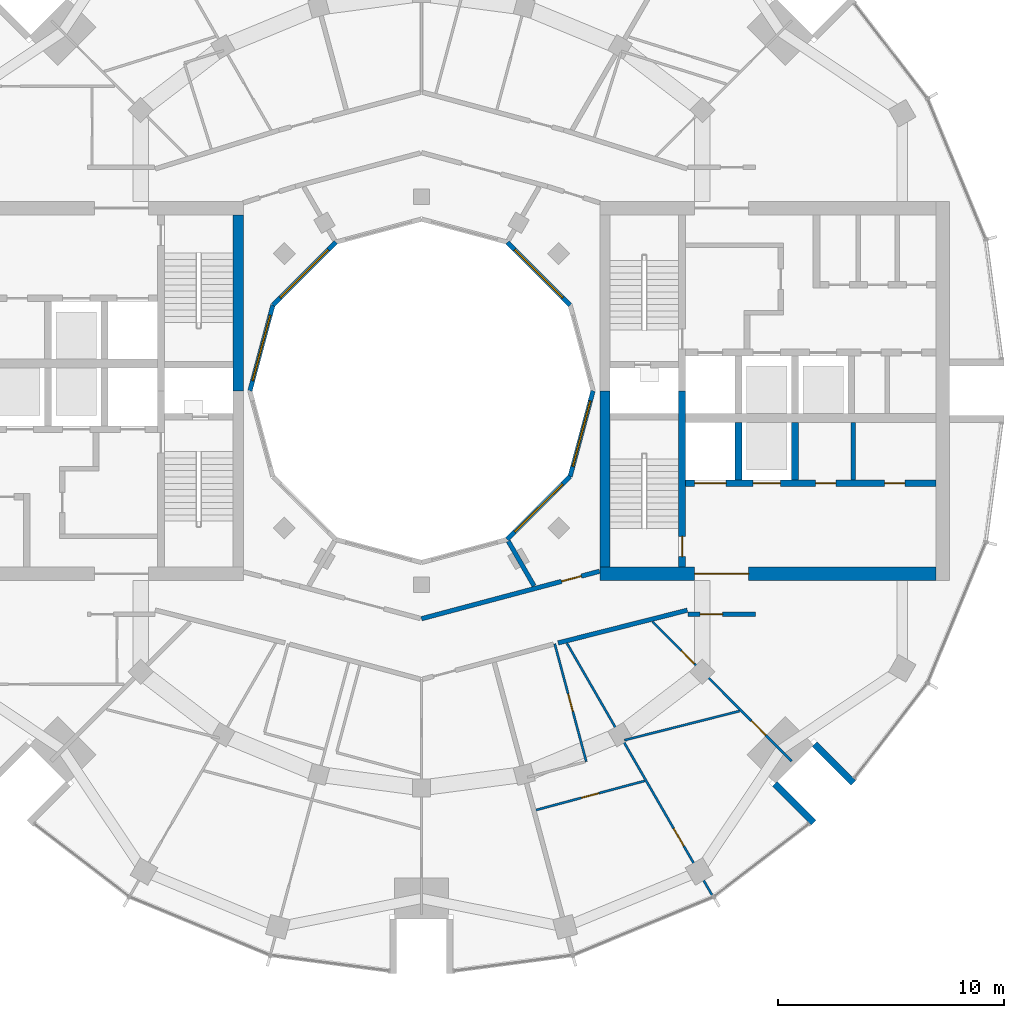
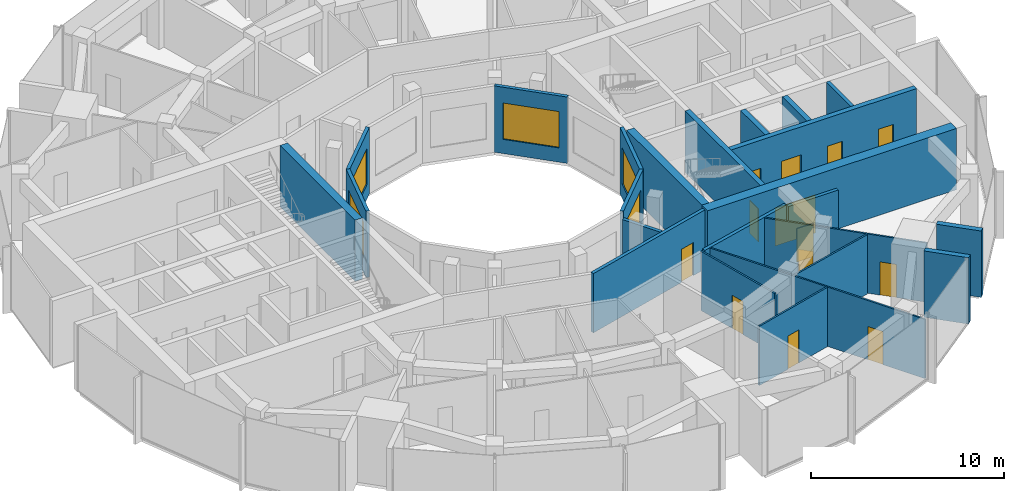
# One storey, part 10 of 15: 24 walls, 13 doors, 5 windows, 18 openings.
"""IFC4 building model written with IfcOpenShell, lengths in metres."""

import ifcopenshell
import ifcopenshell.guid

model = None  # the IFC model being written
_history = None  # IfcOwnerHistory: only IFC2X3 demands one
_inside = {}  # id of a spatial element -> (the spatial element, [elements in it])
_under = {}  # id of a project, library or spatial element -> (it, [spatial elements below it])
_declared = {}  # id of a project -> (the project, [libraries it declares])
_typed = {}  # id of a type object -> (the type object, [elements of that type])
_made_of = {}  # id of a material, layer set ... -> (it, [elements and type objects made of it])


def new_model(schema):
    """Start an empty IFC model of exactly this schema.

    Asked for "IFC4X3", IfcOpenShell would pick the latest addendum, in which some entities
    have other attributes; the version numbers below select the first issue.
    IFC2X3 requires an IfcOwnerHistory on every rooted entity: one is made here for all.
    """
    global model, _history
    if schema == "IFC4X3":
        model = ifcopenshell.file(schema_version=(4, 3, 0, 0))
    else:
        model = ifcopenshell.file(schema=schema)
    _inside.clear()
    _under.clear()
    _declared.clear()
    _typed.clear()
    _made_of.clear()
    _history = None
    if model.schema == "IFC2X3":
        org = make("IfcOrganization", Name="unknown")
        user = make(
            "IfcPersonAndOrganization",
            ThePerson=make("IfcPerson", FamilyName="unknown"),
            TheOrganization=org,
        )
        app = make(
            "IfcApplication",
            ApplicationDeveloper=org,
            Version="unknown",
            ApplicationFullName="unknown",
            ApplicationIdentifier="unknown",
        )
        _history = make(
            "IfcOwnerHistory",
            OwningUser=user,
            OwningApplication=app,
            ChangeAction="ADDED",
            CreationDate=0,
        )
    return model


def make(cls, **values):
    """One entity of the class cls with the attributes given. An attribute that is None is left unset."""
    return model.create_entity(
        cls, **{name: value for name, value in values.items() if value is not None}
    )


def rooted(cls, **values):
    """An entity with a GlobalId (a new one), such as an element, a storey or a relation."""
    return make(cls, GlobalId=ifcopenshell.guid.new(), OwnerHistory=_history, **values)


def si_unit(unit_type, name, prefix=None):
    """IfcSIUnit, for example si_unit("LENGTHUNIT", "METRE", prefix="MILLI")."""
    return make("IfcSIUnit", UnitType=unit_type, Prefix=prefix, Name=name)


def assignment(units):
    """IfcUnitAssignment: the units of a project."""
    return None if units is None else make("IfcUnitAssignment", Units=units)


def point(xyz):
    """IfcCartesianPoint."""
    return None if xyz is None else make("IfcCartesianPoint", Coordinates=xyz)


def direction(xyz):
    """IfcDirection."""
    return None if xyz is None else make("IfcDirection", DirectionRatios=xyz)


def frame(location, z_axis=None, x_axis=None):
    """IfcAxis2Placement3D, a coordinate frame: its origin and axes. An axis left out is left unset."""
    return make(
        "IfcAxis2Placement3D",
        Location=point(location),
        Axis=direction(z_axis),
        RefDirection=direction(x_axis),
    )


def frame_2d(location, x_axis=None):
    """IfcAxis2Placement2D, a coordinate frame in the plane: its origin and x axis."""
    return make(
        "IfcAxis2Placement2D", Location=point(location), RefDirection=direction(x_axis)
    )


def origin():
    """The frame at (0, 0, 0) with its axes left unset."""
    return frame((0.0, 0.0, 0.0))


def place(relative_to, where):
    """IfcLocalPlacement: puts the frame where relative to a parent placement (None: the world)."""
    return make(
        "IfcLocalPlacement", PlacementRelTo=relative_to, RelativePlacement=where
    )


def context(
    kind, dimensions, precision=None, world=None, true_north=None, identifier=None
):
    """IfcGeometricRepresentationContext, for example the 3D "Model" context."""
    return make(
        "IfcGeometricRepresentationContext",
        ContextIdentifier=identifier,
        ContextType=kind,
        CoordinateSpaceDimension=dimensions,
        Precision=precision,
        WorldCoordinateSystem=world,
        TrueNorth=true_north,
    )


def subcontext(parent, identifier, kind, view, scale=None):
    """IfcGeometricRepresentationSubContext, for example "Body" below "Model"."""
    return make(
        "IfcGeometricRepresentationSubContext",
        ContextIdentifier=identifier,
        ContextType=kind,
        ParentContext=parent,
        TargetScale=scale,
        TargetView=view,
    )


def project(units=None, contexts=None):
    """IfcProject with its units and contexts."""
    return rooted(
        "IfcProject",
        Name="project",
        RepresentationContexts=contexts,
        UnitsInContext=assignment(units),
    )


def spatial(cls, under=None, at=None, **own):
    """A site, building, storey or space (cls), placed at a placement, below another one or the project."""
    s = rooted(cls, ObjectPlacement=at, **own)
    if under is not None:
        _under.setdefault(under.id(), (under, []))[1].append(s)
    return s


def profile(cls, at=None, kind="AREA", **sizes):
    """A parametric profile (cls). Its sizes go by their IFC names, for example OverallWidth=200.0."""
    return make(cls, ProfileType=kind, Position=at, **sizes)


def rectangle(**sizes):
    """IfcRectangleProfileDef."""
    return profile("IfcRectangleProfileDef", **sizes)


def extrude(swept, where, along, depth):
    """IfcExtrudedAreaSolid: the profile swept, set in the frame where, extruded along a direction by depth."""
    return make(
        "IfcExtrudedAreaSolid",
        SweptArea=swept,
        Position=where,
        ExtrudedDirection=direction(along),
        Depth=depth,
    )


def shape(context_of_items, identifier, shape_type, items):
    """IfcShapeRepresentation: the items that make up one representation, for example the "Body"."""
    return make(
        "IfcShapeRepresentation",
        ContextOfItems=context_of_items,
        RepresentationIdentifier=identifier,
        RepresentationType=shape_type,
        Items=items,
    )


def material(Name=None, Category=None):
    """IfcMaterial."""
    return make("IfcMaterial", Name=Name, Category=Category)


def layer(
    of_material, thickness, ventilated=None, Name=None, Category=None, Priority=None
):
    """IfcMaterialLayer: one layer of a wall or slab, of a material (None: an air gap)."""
    return make(
        "IfcMaterialLayer",
        Material=of_material,
        LayerThickness=thickness,
        IsVentilated=ventilated,
        Name=Name,
        Category=Category,
        Priority=Priority,
    )


def layer_set(layers, Name=None):
    """IfcMaterialLayerSet."""
    return make("IfcMaterialLayerSet", MaterialLayers=layers, LayerSetName=Name)


def made_of(thing, what):
    """Note that an element or type object is made of a material, layer set ...; save() writes the relation."""
    if what is not None:
        _made_of.setdefault(what.id(), (what, []))[1].append(thing)
    return thing


def type_object(cls, material=None, **own):
    """A type object (cls), such as IfcWallType, which elements share."""
    return made_of(rooted(cls, **own), material)


def element(
    cls,
    number,
    at=None,
    inside=None,
    cuts=None,
    type_object=None,
    material=None,
    context=None,
    identifier="Body",
    shape_type=None,
    held_by="IfcProductDefinitionShape",
    body=None,
    shapes=None,
    **own,
):
    """One element of the class cls, such as IfcWall. Its Tag is "e" and its number.

    at: its placement. inside: the storey or other place that contains it. cuts: it is an
    opening in that element (IfcRelVoidsElement). A single representation is given by context,
    identifier, shape_type and body (its items); several are given by shapes. held_by: the class
    of the entity that holds the representations. save() writes the other relations.
    """
    e = rooted(cls, Tag="e%d" % number, ObjectPlacement=at, **own)
    if body is not None:
        shapes = [shape(context, identifier, shape_type, body)]
    if shapes is not None:
        e.Representation = make(held_by, Representations=shapes)
    if inside is not None:
        _inside.setdefault(inside.id(), (inside, []))[1].append(e)
    if cuts is not None:
        rooted(
            "IfcRelVoidsElement", RelatingBuildingElement=cuts, RelatedOpeningElement=e
        )
    if type_object is not None:
        _typed.setdefault(type_object.id(), (type_object, []))[1].append(e)
    return made_of(e, material)


def fill(opening, filler):
    """IfcRelFillsElement: the door or window that sits in an opening."""
    return rooted(
        "IfcRelFillsElement",
        RelatingOpeningElement=opening,
        RelatedBuildingElement=filler,
    )


def aggregate(whole, parts):
    """IfcRelAggregates: a whole, such as a stair, and the parts it consists of."""
    return rooted("IfcRelAggregates", RelatingObject=whole, RelatedObjects=parts)


def save(model, path):
    """Write the relations noted so far, then the file.

    IfcRelAggregates (storeys below a building ...), IfcRelContainedInSpatialStructure (elements
    in a storey), IfcRelDefinesByType, IfcRelAssociatesMaterial and IfcRelDeclares: one each for
    every whole, place, type object, material and project.
    """
    for whole, parts in _under.values():
        aggregate(whole, parts)
    for where, things in _inside.values():
        rooted(
            "IfcRelContainedInSpatialStructure",
            RelatedElements=things,
            RelatingStructure=where,
        )
    for kind, things in _typed.values():
        rooted("IfcRelDefinesByType", RelatedObjects=things, RelatingType=kind)
    for what, things in _made_of.values():
        rooted("IfcRelAssociatesMaterial", RelatedObjects=things, RelatingMaterial=what)
    for by, libraries in _declared.values():
        rooted("IfcRelDeclares", RelatingContext=by, RelatedDefinitions=libraries)
    model.write(path)


model = new_model("IFC4")

# Units and contexts
model_context = context("Model", 3, precision=1e-05, world=origin(), true_north=direction((0.0, 1.0)))
body_context = subcontext(model_context, "Body", "Model", "MODEL_VIEW")
ifc_project = project(units=[si_unit("LENGTHUNIT", "METRE"), si_unit("AREAUNIT", "SQUARE_METRE"), si_unit("VOLUMEUNIT", "CUBIC_METRE"), si_unit("PLANEANGLEUNIT", "RADIAN"), si_unit("MASSUNIT", "GRAM", prefix="KILO")], contexts=[model_context])

# Site, building, storey
site_placement = place(None, origin())
site = spatial("IfcSite", under=ifc_project, at=site_placement, CompositionType="ELEMENT")
building_placement = place(site_placement, origin())
building = spatial("IfcBuilding", under=site, at=building_placement, Name="Torre Brocal", CompositionType="ELEMENT")
storey_placement = place(building_placement, frame((0.0, 0.0, 249.89990234375)))
storey = spatial("IfcBuildingStorey", under=building, at=storey_placement, Name="L57", CompositionType="ELEMENT", Elevation=249.89990234375)

# Wall
ifc_material_1 = material(Name="Masonry block", Category="masonry")
ifc_layer_1 = layer(ifc_material_1, 0.199951171875)
ifc_layer_set_1 = layer_set([ifc_layer_1], Name="Masonry block")
wall_type_1 = type_object("IfcWallType", Name="CORE PARTITION 200", PredefinedType="PARTITIONING", material=ifc_layer_set_1)
wall_1_placement = place(storey_placement, frame((99.139892578125, 71.050048828125, 0.0), z_axis=(0.0, 0.0, 1.0), x_axis=(0.0, 1.0, 0.0)))
element("IfcWall", 1, at=wall_1_placement, inside=storey, type_object=wall_type_1, Name="Wall CP200", PredefinedType="PARTITIONING", context=body_context, shape_type="SweptSolid", body=[
    extrude(rectangle(XDim=2.550048828125, YDim=0.199951171875, at=frame_2d((1.27490234375, 0.0))), origin(), (0.0, 0.0, 1.0), 3.880126953125),
])

# Wall, opening, door
ifc_material_2 = material(Name="Concrete C60", Category="concrete")
ifc_layer_2 = layer(ifc_material_2, 0.300048828125)
ifc_layer_set_2 = layer_set([ifc_layer_2], Name="Concrete C60")
wall_type_2 = type_object("IfcWallType", Name="CORE WALL 300 C60", PredefinedType="SHEAR", material=ifc_layer_set_2)
wall_2_placement = place(storey_placement, frame((91.550048828125, 67.199951171875, 0.0), z_axis=(0.0, 0.0, 1.0), x_axis=(0.0, 1.0, 0.0)))
wall_2 = element("IfcWall", 2, at=wall_2_placement, inside=storey, type_object=wall_type_2, Name="Wall CW300-60", PredefinedType="SHEAR", context=body_context, shape_type="SweptSolid", body=[
    extrude(rectangle(XDim=7.800048828125, YDim=0.300048828125, at=frame_2d((3.89990234375, 0.0))), origin(), (0.0, 0.0, 1.0), 3.880126953125),
])
opening_1_placement = place(wall_2_placement, frame((0.449951171875, 0.0, 0.0)))
opening_1 = element("IfcOpeningElement", 3, at=opening_1_placement, cuts=wall_2, Name="Opening E-D03", PredefinedType="OPENING", context=body_context, shape_type="SweptSolid", body=[
    extrude(rectangle(XDim=0.89990234375, YDim=2.10009765625, at=frame_2d((0.449951171875, 1.050048828125))), frame((0.0, 0.159912109375, 0.0), z_axis=(0.0, -1.0, 0.0), x_axis=(1.0, 0.0, 0.0)), (0.0, 0.0, 1.0), 0.320068359375),
])
ifc_material_3 = material(Name="Steel A653", Category="steel")
door_type_1 = type_object("IfcDoorType", Name="STAIR DOOR FD120 900X2100", OperationType="SINGLE_SWING_RIGHT", PredefinedType="DOOR", material=ifc_material_3)
door_1_placement = place(opening_1_placement, origin())
door_1 = element("IfcDoor", 4, at=door_1_placement, inside=storey, type_object=door_type_1, Name="Door E-D03", OperationType="SINGLE_SWING_LEFT", OverallHeight=2.10009765625, OverallWidth=0.89990234375, PredefinedType="DOOR", context=body_context, shape_type="SweptSolid", body=[
    extrude(rectangle(XDim=0.89990234375, YDim=2.10009765625, at=frame_2d((0.449951171875, 1.050048828125))), frame((0.0, 0.02490234375, 0.0), z_axis=(0.0, -1.0, 0.0), x_axis=(1.0, 0.0, 0.0)), (0.0, 0.0, 1.0), 0.050048828125),
])
fill(opening_1, door_1)

# Wall, openings, doors
wall_3_placement = place(storey_placement, frame((91.699951171875, 70.89990234375, 0.0), z_axis=(0.0, 0.0, 1.0), x_axis=(1.0, 0.0, 0.0)))
wall_3 = element("IfcWall", 5, at=wall_3_placement, inside=storey, type_object=wall_type_2, Name="Wall CW300-60", PredefinedType="SHEAR", context=body_context, shape_type="SweptSolid", body=[
    extrude(rectangle(XDim=11.10009765625, YDim=0.300048828125, at=frame_2d((5.550048828125, 0.0))), origin(), (0.0, 0.0, 1.0), 3.880126953125),
])
opening_2_placement = place(wall_3_placement, frame((0.39990234375, 0.0, 0.0)))
opening_2 = element("IfcOpeningElement", 6, at=opening_2_placement, cuts=wall_3, Name="Opening LD14", PredefinedType="OPENING", context=body_context, shape_type="SweptSolid", body=[
    extrude(rectangle(XDim=1.39990234375, YDim=2.10009765625, at=frame_2d((0.699951171875, 1.050048828125))), frame((0.0, 0.159912109375, 0.0), z_axis=(0.0, -1.0, 0.0), x_axis=(1.0, 0.0, 0.0)), (0.0, 0.0, 1.0), 0.320068359375),
])
opening_3_placement = place(wall_3_placement, frame((3.0, 0.0, 0.0)))
opening_3 = element("IfcOpeningElement", 7, at=opening_3_placement, cuts=wall_3, Name="Opening LD12", PredefinedType="OPENING", context=body_context, shape_type="SweptSolid", body=[
    extrude(rectangle(XDim=1.199951171875, YDim=2.10009765625, at=frame_2d((0.60009765625, 1.050048828125))), frame((0.0, 0.159912109375, 0.0), z_axis=(0.0, -1.0, 0.0), x_axis=(1.0, 0.0, 0.0)), (0.0, 0.0, 1.0), 0.320068359375),
])
opening_4_placement = place(wall_3_placement, frame((5.77001953125, 0.0, 0.0)))
opening_4 = element("IfcOpeningElement", 8, at=opening_4_placement, cuts=wall_3, Name="Opening E-D06", PredefinedType="OPENING", context=body_context, shape_type="SweptSolid", body=[
    extrude(rectangle(XDim=0.89990234375, YDim=2.10009765625, at=frame_2d((0.449951171875, 1.050048828125))), frame((0.0, 0.159912109375, 0.0), z_axis=(0.0, -1.0, 0.0), x_axis=(1.0, 0.0, 0.0)), (0.0, 0.0, 1.0), 0.320068359375),
])
opening_5_placement = place(wall_3_placement, frame((8.820068359375, 0.0, 0.0)))
opening_5 = element("IfcOpeningElement", 9, at=opening_5_placement, cuts=wall_3, Name="Opening E-D07", PredefinedType="OPENING", context=body_context, shape_type="SweptSolid", body=[
    extrude(rectangle(XDim=0.89990234375, YDim=2.10009765625, at=frame_2d((0.449951171875, 1.050048828125))), frame((0.0, 0.159912109375, 0.0), z_axis=(0.0, -1.0, 0.0), x_axis=(1.0, 0.0, 0.0)), (0.0, 0.0, 1.0), 0.320068359375),
])
ifc_material_4 = material(Name="Stainless steel AISI 316", Category="steel")
door_type_2 = type_object("IfcDoorType", Name="LIFT LANDING DOOR 1200X2100", OperationType="DOUBLE_DOOR_SLIDING", PredefinedType="DOOR", material=ifc_material_4)
door_2_placement = place(opening_3_placement, origin())
door_2 = element("IfcDoor", 10, at=door_2_placement, inside=storey, type_object=door_type_2, Name="Door LD12", OperationType="DOUBLE_DOOR_SLIDING", OverallHeight=2.10009765625, OverallWidth=1.199951171875, PredefinedType="DOOR", context=body_context, shape_type="SweptSolid", body=[
    extrude(rectangle(XDim=1.199951171875, YDim=2.10009765625, at=frame_2d((0.60009765625, 1.050048828125))), frame((0.0, 0.02490234375, 0.0), z_axis=(0.0, -1.0, 0.0), x_axis=(1.0, 0.0, 0.0)), (0.0, 0.0, 1.0), 0.050048828125),
])
fill(opening_3, door_2)
ifc_material_5 = material(Name="Stainless steel AISI 316", Category="steel")
door_type_3 = type_object("IfcDoorType", Name="LIFT LANDING DOOR 1400X2100", OperationType="DOUBLE_DOOR_SLIDING", PredefinedType="DOOR", material=ifc_material_5)
door_3_placement = place(opening_2_placement, origin())
door_3 = element("IfcDoor", 11, at=door_3_placement, inside=storey, type_object=door_type_3, Name="Door LD14", OperationType="DOUBLE_DOOR_SLIDING", OverallHeight=2.10009765625, OverallWidth=1.39990234375, PredefinedType="DOOR", context=body_context, shape_type="SweptSolid", body=[
    extrude(rectangle(XDim=1.39990234375, YDim=2.10009765625, at=frame_2d((0.699951171875, 1.050048828125))), frame((0.0, 0.02490234375, 0.0), z_axis=(0.0, -1.0, 0.0), x_axis=(1.0, 0.0, 0.0)), (0.0, 0.0, 1.0), 0.050048828125),
])
fill(opening_2, door_3)
ifc_material_6 = material(Name="Steel A653", Category="steel")
door_type_4 = type_object("IfcDoorType", Name="ROOM DOOR FD30S 900X2100", OperationType="SINGLE_SWING_LEFT", PredefinedType="DOOR", material=ifc_material_6)
door_4_placement = place(opening_4_placement, origin())
door_4 = element("IfcDoor", 12, at=door_4_placement, inside=storey, type_object=door_type_4, Name="Door E-D06", OperationType="SINGLE_SWING_RIGHT", OverallHeight=2.10009765625, OverallWidth=0.89990234375, PredefinedType="DOOR", context=body_context, shape_type="SweptSolid", body=[
    extrude(rectangle(XDim=0.89990234375, YDim=2.10009765625, at=frame_2d((0.449951171875, 1.050048828125))), frame((0.0, 0.02490234375, 0.0), z_axis=(0.0, -1.0, 0.0), x_axis=(1.0, 0.0, 0.0)), (0.0, 0.0, 1.0), 0.050048828125),
])
fill(opening_4, door_4)
door_5_placement = place(opening_5_placement, origin())
door_5 = element("IfcDoor", 13, at=door_5_placement, inside=storey, type_object=door_type_4, Name="Door E-D07", OperationType="SINGLE_SWING_LEFT", OverallHeight=2.10009765625, OverallWidth=0.89990234375, PredefinedType="DOOR", context=body_context, shape_type="SweptSolid", body=[
    extrude(rectangle(XDim=0.89990234375, YDim=2.10009765625, at=frame_2d((0.449951171875, 1.050048828125))), frame((0.0, 0.02490234375, 0.0), z_axis=(0.0, -1.0, 0.0), x_axis=(1.0, 0.0, 0.0)), (0.0, 0.0, 1.0), 0.050048828125),
])
fill(opening_5, door_5)

# Walls
for number, where, z_axis, x_axis, name in (
    (14, (94.050048828125, 71.050048828125, 0.0), (0.0, 0.0, 1.0), (0.0, 1.0, 0.0), "Wall CW300-60"),
    (15, (96.550048828125, 71.050048828125, 0.0), (0.0, 0.0, 1.0), (0.0, 1.0, 0.0), "Wall CW300-60"),
):
    element("IfcWall", number, at=place(storey_placement, frame(where, z_axis=z_axis, x_axis=x_axis)), inside=storey, type_object=wall_type_2, Name=name, PredefinedType="SHEAR", context=body_context, shape_type="SweptSolid", body=[
        extrude(rectangle(XDim=2.550048828125, YDim=0.300048828125, at=frame_2d((1.27490234375, 0.0))), origin(), (0.0, 0.0, 1.0), 3.880126953125),
    ])
ifc_material_7 = material(Name="Concrete C60", Category="concrete")
ifc_layer_3 = layer(ifc_material_7, 0.449951171875)
ifc_layer_set_3 = layer_set([ifc_layer_3], Name="Concrete C60")
wall_type_3 = type_object("IfcWallType", Name="CORE WALL 450 C60", PredefinedType="SHEAR", material=ifc_layer_set_3)
for number, where, z_axis, x_axis, name in (
    (16, (88.125, 67.199951171875, 0.0), (0.0, 0.0, 1.0), (0.0, 1.0, 0.0), "Wall CW450-60"),
    (17, (71.875, 82.800048828125, 0.0), (0.0, 0.0, 1.0), (0.0, -1.0, 0.0), "Wall CW450-60"),
):
    element("IfcWall", number, at=place(storey_placement, frame(where, z_axis=z_axis, x_axis=x_axis)), inside=storey, type_object=wall_type_3, Name=name, PredefinedType="SHEAR", context=body_context, shape_type="SweptSolid", body=[
        extrude(rectangle(XDim=7.800048828125, YDim=0.449951171875, at=frame_2d((3.89990234375, 0.0))), origin(), (0.0, 0.0, 1.0), 3.880126953125),
    ])

# Wall, opening, door
ifc_material_8 = material(Name="Concrete C60", Category="concrete")
ifc_layer_4 = layer(ifc_material_8, 0.60009765625)
ifc_layer_set_4 = layer_set([ifc_layer_4], Name="Concrete C60")
wall_type_4 = type_object("IfcWallType", Name="CORE WALL 600 C60", PredefinedType="SHEAR", material=ifc_layer_set_4)
wall_4_placement = place(storey_placement, frame((87.89990234375, 66.89990234375, 0.0), z_axis=(0.0, 0.0, 1.0), x_axis=(1.0, 0.0, 0.0)))
wall_4 = element("IfcWall", 18, at=wall_4_placement, inside=storey, type_object=wall_type_4, Name="Wall CW600-60", PredefinedType="SHEAR", context=body_context, shape_type="SweptSolid", body=[
    extrude(rectangle(XDim=14.900146484375, YDim=0.60009765625, at=frame_2d((7.4501953125, 0.0))), origin(), (0.0, 0.0, 1.0), 3.880126953125),
])
opening_6_placement = place(wall_4_placement, frame((4.199951171875, 0.0, 0.0)))
opening_6 = element("IfcOpeningElement", 19, at=opening_6_placement, cuts=wall_4, Name="Opening E-D13", PredefinedType="OPENING", context=body_context, shape_type="SweptSolid", body=[
    extrude(rectangle(XDim=2.39990234375, YDim=2.39990234375, at=frame_2d((1.199951171875, 1.199951171875))), frame((0.0, 0.31005859375, 0.0), z_axis=(0.0, -1.0, 0.0), x_axis=(1.0, 0.0, 0.0)), (0.0, 0.0, 1.0), 0.6201171875),
])
ifc_material_9 = material(Name="Steel A653", Category="steel")
door_type_5 = type_object("IfcDoorType", Name="DOUBLE FIRE DOOR FD90 2400X2400", OperationType="DOUBLE_DOOR_SINGLE_SWING", PredefinedType="DOOR", material=ifc_material_9)
door_6_placement = place(opening_6_placement, origin())
door_6 = element("IfcDoor", 20, at=door_6_placement, inside=storey, type_object=door_type_5, Name="Door E-D13", OperationType="DOUBLE_DOOR_SINGLE_SWING", OverallHeight=2.39990234375, OverallWidth=2.39990234375, PredefinedType="DOOR", context=body_context, shape_type="SweptSolid", body=[
    extrude(rectangle(XDim=2.39990234375, YDim=2.39990234375, at=frame_2d((1.199951171875, 1.199951171875))), frame((0.0, 0.02490234375, 0.0), z_axis=(0.0, -1.0, 0.0), x_axis=(1.0, 0.0, 0.0)), (0.0, 0.0, 1.0), 0.050048828125),
])
fill(opening_6, door_6)

# Walls
ifc_material_10 = material(Name="Concrete C60", Category="concrete")
ifc_layer_5 = layer(ifc_material_10, 0.300048828125)
ifc_layer_set_5 = layer_set([ifc_layer_5], Name="Concrete C60")
wall_type_5 = type_object("IfcWallType", Name="NOTCH RETURN WALL 300 C60", PredefinedType="NOTDEFINED", material=ifc_layer_set_5)
for number, where, z_axis, x_axis, name in (
    (21, (95.662353515625, 57.56982421875, 0.0), (0.0, 0.0, 1.0), (0.707106781187, -0.707106781187, 0.0), "NOTCH RETURN WALL"),
    (22, (97.43017578125, 59.337646484375, 0.0), (0.0, 0.0, 1.0), (0.707106781187, -0.707106781187, 0.0), "NOTCH RETURN WALL"),
):
    element("IfcWall", number, at=place(storey_placement, frame(where, z_axis=z_axis, x_axis=x_axis)), inside=storey, type_object=wall_type_5, Name=name, PredefinedType="NOTDEFINED", context=body_context, shape_type="SweptSolid", body=[
        extrude(rectangle(XDim=2.415771484375, YDim=0.300048828125, at=frame_2d((1.2080078125, 0.0))), origin(), (0.0, 0.0, 1.0), 4.2001953125),
    ])

# Wall, opening, door
ifc_material_11 = material(Name="Gypsum board", Category="Gypsum")
ifc_layer_6 = layer(ifc_material_11, 0.10009765625)
ifc_layer_set_6 = layer_set([ifc_layer_6], Name="Gypsum board")
wall_type_6 = type_object("IfcWallType", Name="PARTITION 100", PredefinedType="PARTITIONING", material=ifc_layer_set_6)
wall_5_placement = place(storey_placement, frame((85.08154296875, 56.421875, 0.0), z_axis=(0.0, 0.0, 1.0), x_axis=(0.965916105496, 0.258855320873, 0.0)))
wall_5 = element("IfcWall", 23, at=wall_5_placement, inside=storey, type_object=wall_type_6, Name="BATHROOM WALL", PredefinedType="PARTITIONING", context=body_context, shape_type="SweptSolid", body=[
    extrude(rectangle(XDim=4.980712890625, YDim=0.10009765625, at=frame_2d((2.490234375, 0.0))), origin(), (0.0, 0.0, 1.0), 3.75),
])
opening_7_placement = place(wall_5_placement, frame((2.08056640625, 0.0, 0.0)))
opening_7 = element("IfcOpeningElement", 24, at=opening_7_placement, cuts=wall_5, Name="Opening B04-D26", PredefinedType="OPENING", context=body_context, shape_type="SweptSolid", body=[
    extrude(rectangle(XDim=0.800048828125, YDim=2.10009765625, at=frame_2d((0.39990234375, 1.050048828125))), frame((0.0, 0.06005859375, 0.0), z_axis=(0.0, -1.0, 0.0), x_axis=(1.0, 0.0, 0.0)), (0.0, 0.0, 1.0), 0.1201171875),
])
ifc_material_12 = material(Name="Timber", Category="wood")
door_type_6 = type_object("IfcDoorType", Name="BATHROOM DOOR 800X2100", OperationType="SINGLE_SWING_LEFT", PredefinedType="DOOR", material=ifc_material_12)
door_7_placement = place(opening_7_placement, frame((0.800048828125, 0.0, 0.0), z_axis=(0.0, 0.0, 1.0), x_axis=(-1.0, 0.0, 0.0)))
door_7 = element("IfcDoor", 25, at=door_7_placement, inside=storey, type_object=door_type_6, Name="B04-D26", OperationType="SINGLE_SWING_RIGHT", OverallHeight=2.10009765625, OverallWidth=0.800048828125, PredefinedType="DOOR", context=body_context, shape_type="SweptSolid", body=[
    extrude(rectangle(XDim=0.800048828125, YDim=2.10009765625, at=frame_2d((0.39990234375, 1.050048828125))), frame((0.0, 0.02490234375, 0.0), z_axis=(0.0, -1.0, 0.0), x_axis=(1.0, 0.0, 0.0)), (0.0, 0.0, 1.0), 0.050048828125),
])
fill(opening_7, door_7)

wall_6_placement = place(storey_placement, frame((85.904052734375, 63.785888671875, 0.0), z_axis=(0.0, 0.0, 1.0), x_axis=(0.258883730688, -0.965908491517, 0.0)))
wall_6 = element("IfcWall", 26, at=wall_6_placement, inside=storey, type_object=wall_type_6, Name="BATHROOM WALL", PredefinedType="PARTITIONING", context=body_context, shape_type="SweptSolid", body=[
    extrude(rectangle(XDim=5.39990234375, YDim=0.10009765625, at=frame_2d((2.699951171875, 0.0))), origin(), (0.0, 0.0, 1.0), 3.75),
])
opening_8_placement = place(wall_6_placement, frame((2.300048828125, 0.0, 0.0)))
opening_8 = element("IfcOpeningElement", 27, at=opening_8_placement, cuts=wall_6, Name="Opening B04-D25", PredefinedType="OPENING", context=body_context, shape_type="SweptSolid", body=[
    extrude(rectangle(XDim=0.800048828125, YDim=2.10009765625, at=frame_2d((0.39990234375, 1.050048828125))), frame((0.0, 0.06005859375, 0.0), z_axis=(0.0, -1.0, 0.0), x_axis=(1.0, 0.0, 0.0)), (0.0, 0.0, 1.0), 0.1201171875),
])
door_8_placement = place(opening_8_placement, frame((0.800048828125, 0.0, 0.0), z_axis=(0.0, 0.0, 1.0), x_axis=(-1.0, 0.0, 0.0)))
door_8 = element("IfcDoor", 28, at=door_8_placement, inside=storey, type_object=door_type_6, Name="B04-D25", OperationType="SINGLE_SWING_RIGHT", OverallHeight=2.10009765625, OverallWidth=0.800048828125, PredefinedType="DOOR", context=body_context, shape_type="SweptSolid", body=[
    extrude(rectangle(XDim=0.800048828125, YDim=2.10009765625, at=frame_2d((0.39990234375, 1.050048828125))), frame((0.0, 0.02490234375, 0.0), z_axis=(0.0, -1.0, 0.0), x_axis=(1.0, 0.0, 0.0)), (0.0, 0.0, 1.0), 0.050048828125),
])
fill(opening_8, door_8)

wall_7_placement = place(storey_placement, frame((86.443359375, 63.811279296875, 0.0), z_axis=(0.0, 0.0, 1.0), x_axis=(0.499444698744, -0.866345769827, 0.0)))
wall_7 = element("IfcWall", 29, at=wall_7_placement, inside=storey, type_object=wall_type_6, Name="BATHROOM WALL", PredefinedType="PARTITIONING", context=body_context, shape_type="SweptSolid", body=[
    extrude(rectangle(XDim=12.886474609375, YDim=0.10009765625, at=frame_2d((6.443359375, 0.0))), origin(), (0.0, 0.0, 1.0), 3.75),
])
opening_9_placement = place(wall_7_placement, frame((9.471923828125, 0.0, 0.0)))
opening_9 = element("IfcOpeningElement", 30, at=opening_9_placement, cuts=wall_7, Name="Opening B04-D24", PredefinedType="OPENING", context=body_context, shape_type="SweptSolid", body=[
    extrude(rectangle(XDim=0.89990234375, YDim=2.10009765625, at=frame_2d((0.449951171875, 1.050048828125))), frame((0.0, 0.06005859375, 0.0), z_axis=(0.0, -1.0, 0.0), x_axis=(1.0, 0.0, 0.0)), (0.0, 0.0, 1.0), 0.1201171875),
])
ifc_material_13 = material(Name="Timber", Category="wood")
door_type_7 = type_object("IfcDoorType", Name="ROOM DOOR 900X2100", OperationType="SINGLE_SWING_LEFT", PredefinedType="DOOR", material=ifc_material_13)
door_9_placement = place(opening_9_placement, origin())
door_9 = element("IfcDoor", 31, at=door_9_placement, inside=storey, type_object=door_type_7, Name="B04-D24", OperationType="SINGLE_SWING_RIGHT", OverallHeight=2.10009765625, OverallWidth=0.89990234375, PredefinedType="DOOR", context=body_context, shape_type="SweptSolid", body=[
    extrude(rectangle(XDim=0.89990234375, YDim=2.10009765625, at=frame_2d((0.449951171875, 1.050048828125))), frame((0.0, 0.02490234375, 0.0), z_axis=(0.0, -1.0, 0.0), x_axis=(1.0, 0.0, 0.0)), (0.0, 0.0, 1.0), 0.050048828125),
])
fill(opening_9, door_9)

# Wall
wall_8_placement = place(storey_placement, frame((88.99560546875, 59.516357421875, 0.0), z_axis=(0.0, 0.0, 1.0), x_axis=(0.969474312332, 0.245192899019, 0.0)))
element("IfcWall", 32, at=wall_8_placement, inside=storey, type_object=wall_type_6, Name="BATHROOM WALL", PredefinedType="PARTITIONING", context=body_context, shape_type="SweptSolid", body=[
    extrude(rectangle(XDim=5.25146484375, YDim=0.10009765625, at=frame_2d((2.625732421875, 0.0))), origin(), (0.0, 0.0, 1.0), 3.75),
])

# Wall, openings, doors
wall_9_placement = place(storey_placement, frame((90.237060546875, 64.759033203125, 0.0), z_axis=(0.0, 0.0, 1.0), x_axis=(0.707008780941, -0.707204767852, 0.0)))
wall_9 = element("IfcWall", 33, at=wall_9_placement, inside=storey, type_object=wall_type_6, Name="BATHROOM WALL", PredefinedType="PARTITIONING", context=body_context, shape_type="SweptSolid", body=[
    extrude(rectangle(XDim=8.719970703125, YDim=0.10009765625, at=frame_2d((4.35986328125, 0.0))), origin(), (0.0, 0.0, 1.0), 3.75),
])
opening_10_placement = place(wall_9_placement, frame((6.206298828125, 0.0, 0.0)))
opening_10 = element("IfcOpeningElement", 34, at=opening_10_placement, cuts=wall_9, Name="Opening B04-D22", PredefinedType="OPENING", context=body_context, shape_type="SweptSolid", body=[
    extrude(rectangle(XDim=0.89990234375, YDim=2.10009765625, at=frame_2d((0.449951171875, 1.050048828125))), frame((0.0, 0.06005859375, 0.0), z_axis=(0.0, -1.0, 0.0), x_axis=(1.0, 0.0, 0.0)), (0.0, 0.0, 1.0), 0.1201171875),
])
opening_11_placement = place(wall_9_placement, frame((1.817138671875, 0.0, 0.0)))
opening_11 = element("IfcOpeningElement", 35, at=opening_11_placement, cuts=wall_9, Name="Opening B04-D23", PredefinedType="OPENING", context=body_context, shape_type="SweptSolid", body=[
    extrude(rectangle(XDim=0.800048828125, YDim=2.10009765625, at=frame_2d((0.39990234375, 1.050048828125))), frame((0.0, 0.06005859375, 0.0), z_axis=(0.0, -1.0, 0.0), x_axis=(1.0, 0.0, 0.0)), (0.0, 0.0, 1.0), 0.1201171875),
])
door_10_placement = place(opening_11_placement, frame((0.800048828125, 0.0, 0.0), z_axis=(0.0, 0.0, 1.0), x_axis=(-1.0, 0.0, 0.0)))
door_10 = element("IfcDoor", 36, at=door_10_placement, inside=storey, type_object=door_type_6, Name="B04-D23", OperationType="SINGLE_SWING_RIGHT", OverallHeight=2.10009765625, OverallWidth=0.800048828125, PredefinedType="DOOR", context=body_context, shape_type="SweptSolid", body=[
    extrude(rectangle(XDim=0.800048828125, YDim=2.10009765625, at=frame_2d((0.39990234375, 1.050048828125))), frame((0.0, 0.02490234375, 0.0), z_axis=(0.0, -1.0, 0.0), x_axis=(1.0, 0.0, 0.0)), (0.0, 0.0, 1.0), 0.050048828125),
])
fill(opening_11, door_10)
door_11_placement = place(opening_10_placement, origin())
door_11 = element("IfcDoor", 37, at=door_11_placement, inside=storey, type_object=door_type_7, Name="B04-D22", OperationType="SINGLE_SWING_LEFT", OverallHeight=2.10009765625, OverallWidth=0.89990234375, PredefinedType="DOOR", context=body_context, shape_type="SweptSolid", body=[
    extrude(rectangle(XDim=0.89990234375, YDim=2.10009765625, at=frame_2d((0.449951171875, 1.050048828125))), frame((0.0, 0.02490234375, 0.0), z_axis=(0.0, -1.0, 0.0), x_axis=(1.0, 0.0, 0.0)), (0.0, 0.0, 1.0), 0.050048828125),
])
fill(opening_10, door_11)

# Wall, opening, door
ifc_material_14 = material(Name="Gypsum board", Category="Gypsum")
ifc_layer_7 = layer(ifc_material_14, 0.199951171875)
ifc_layer_set_7 = layer_set([ifc_layer_7], Name="Gypsum board")
wall_type_7 = type_object("IfcWallType", Name="PARTITION 200 EI60", PredefinedType="PARTITIONING", material=ifc_layer_set_7)
wall_10_placement = place(storey_placement, frame((79.99951171875, 64.89794921875, 0.0), z_axis=(0.0, 0.0, 1.0), x_axis=(0.966237419782, 0.257653349704, 0.0)))
wall_10 = element("IfcWall", 38, at=wall_10_placement, inside=storey, type_object=wall_type_7, Name="CORRIDOR WALL", PredefinedType="PARTITIONING", context=body_context, shape_type="SweptSolid", body=[
    extrude(rectangle(XDim=8.1689453125, YDim=0.199951171875, at=frame_2d((4.08447265625, 0.0))), origin(), (0.0, 0.0, 1.0), 3.75),
])
opening_12_placement = place(wall_10_placement, frame((6.427978515625, 0.0, 0.0)))
opening_12 = element("IfcOpeningElement", 39, at=opening_12_placement, cuts=wall_10, Name="Opening B04-D39", PredefinedType="OPENING", context=body_context, shape_type="SweptSolid", body=[
    extrude(rectangle(XDim=0.89990234375, YDim=2.10009765625, at=frame_2d((0.449951171875, 1.050048828125))), frame((0.0, 0.10986328125, 0.0), z_axis=(0.0, -1.0, 0.0), x_axis=(1.0, 0.0, 0.0)), (0.0, 0.0, 1.0), 0.219970703125),
])
door_12_placement = place(opening_12_placement, origin())
door_12 = element("IfcDoor", 40, at=door_12_placement, inside=storey, type_object=door_type_7, Name="B04-D39", OperationType="SINGLE_SWING_RIGHT", OverallHeight=2.10009765625, OverallWidth=0.89990234375, PredefinedType="DOOR", context=body_context, shape_type="SweptSolid", body=[
    extrude(rectangle(XDim=0.89990234375, YDim=2.10009765625, at=frame_2d((0.449951171875, 1.050048828125))), frame((0.0, 0.02490234375, 0.0), z_axis=(0.0, -1.0, 0.0), x_axis=(1.0, 0.0, 0.0)), (0.0, 0.0, 1.0), 0.050048828125),
])
fill(opening_12, door_12)

# Walls
wall_11_placement = place(storey_placement, frame((83.848388671875, 68.331298828125, 0.0), z_axis=(0.0, 0.0, 1.0), x_axis=(0.499851978358, -0.866110847255, 0.0)))
element("IfcWall", 41, at=wall_11_placement, inside=storey, type_object=wall_type_7, Name="PARTY PARTITION", PredefinedType="PARTITIONING", context=body_context, shape_type="SweptSolid", body=[
    extrude(rectangle(XDim=2.284423828125, YDim=0.199951171875, at=frame_2d((1.14208984375, 0.0))), origin(), (0.0, 0.0, 1.0), 3.75),
])
wall_12_placement = place(storey_placement, frame((86.052978515625, 63.826171875, 0.0), z_axis=(0.0, 0.0, 1.0), x_axis=(0.969490004987, 0.245130843083, 0.0)))
element("IfcWall", 42, at=wall_12_placement, inside=storey, type_object=wall_type_7, Name="FLAT ENTRANCE WALL", PredefinedType="PARTITIONING", context=body_context, shape_type="SweptSolid", body=[
    extrude(rectangle(XDim=5.907958984375, YDim=0.199951171875, at=frame_2d((2.9541015625, 0.0))), origin(), (0.0, 0.0, 1.0), 3.75),
])

# Wall, opening, door
wall_13_placement = place(storey_placement, frame((91.800048828125, 65.10009765625, 0.0), z_axis=(0.0, 0.0, 1.0), x_axis=(1.0, 0.0, 0.0)))
wall_13 = element("IfcWall", 43, at=wall_13_placement, inside=storey, type_object=wall_type_7, Name="FLAT ENTRANCE WALL", PredefinedType="PARTITIONING", context=body_context, shape_type="SweptSolid", body=[
    extrude(rectangle(XDim=3.0, YDim=0.199951171875, at=frame_2d((1.5, 0.0))), origin(), (0.0, 0.0, 1.0), 3.75),
])
opening_13_placement = place(wall_13_placement, frame((0.550048828125, 0.0, 0.0)))
opening_13 = element("IfcOpeningElement", 44, at=opening_13_placement, cuts=wall_13, Name="Opening B04-D21", PredefinedType="OPENING", context=body_context, shape_type="SweptSolid", body=[
    extrude(rectangle(XDim=1.0, YDim=2.10009765625, at=frame_2d((0.5, 1.050048828125))), frame((0.0, 0.10986328125, 0.0), z_axis=(0.0, -1.0, 0.0), x_axis=(1.0, 0.0, 0.0)), (0.0, 0.0, 1.0), 0.219970703125),
])
ifc_material_15 = material(Name="Timber", Category="wood")
door_type_8 = type_object("IfcDoorType", Name="FLAT ENTRY DOOR FD30S 1000X2100", OperationType="SINGLE_SWING_RIGHT", PredefinedType="DOOR", material=ifc_material_15)
door_13_placement = place(opening_13_placement, frame((1.0, 0.0, 0.0), z_axis=(0.0, 0.0, 1.0), x_axis=(-1.0, 0.0, 0.0)))
door_13 = element("IfcDoor", 45, at=door_13_placement, inside=storey, type_object=door_type_8, Name="B04-D21", OperationType="SINGLE_SWING_RIGHT", OverallHeight=2.10009765625, OverallWidth=1.0, PredefinedType="DOOR", context=body_context, shape_type="SweptSolid", body=[
    extrude(rectangle(XDim=1.0, YDim=2.10009765625, at=frame_2d((0.5, 1.050048828125))), frame((0.0, 0.02490234375, 0.0), z_axis=(0.0, -1.0, 0.0), x_axis=(1.0, 0.0, 0.0)), (0.0, 0.0, 1.0), 0.050048828125),
])
fill(opening_13, door_13)

# Wall, opening, window
ifc_material_16 = material(Name="Concrete C40", Category="concrete")
ifc_layer_8 = layer(ifc_material_16, 0.199951171875)
ifc_layer_set_8 = layer_set([ifc_layer_8], Name="Concrete C40")
wall_type_8 = type_object("IfcWallType", Name="WELL FACADE WALL 200", PredefinedType="NOTDEFINED", material=ifc_layer_set_8)
wall_14_placement = place(storey_placement, frame((86.5849609375, 78.8017578125, 0.0), z_axis=(0.0, 0.0, 1.0), x_axis=(-0.707106781187, 0.707106781187, 0.0)))
wall_14 = element("IfcWall", 46, at=wall_14_placement, inside=storey, type_object=wall_type_8, Name="WELL FACADE WALL", PredefinedType="NOTDEFINED", context=body_context, shape_type="SweptSolid", body=[
    extrude(rectangle(XDim=3.93603515625, YDim=0.199951171875, at=frame_2d((1.968017578125, 0.0))), origin(), (0.0, 0.0, 1.0), 4.2001953125),
])
opening_14_placement = place(wall_14_placement, frame((0.468017578125, 0.0, 0.89990234375)))
opening_14 = element("IfcOpeningElement", 47, at=opening_14_placement, cuts=wall_14, Name="Opening W1", PredefinedType="OPENING", context=body_context, shape_type="SweptSolid", body=[
    extrude(rectangle(XDim=3.0, YDim=2.300048828125, at=frame_2d((1.5, 1.14990234375))), frame((0.0, 0.10986328125, 0.0), z_axis=(0.0, -1.0, 0.0), x_axis=(1.0, 0.0, 0.0)), (0.0, 0.0, 1.0), 0.219970703125),
])
ifc_material_17 = material(Name="Aluminium and glass", Category="aluminium")
window_type = type_object("IfcWindowType", Name="WELL WINDOW 3000X2300", PartitioningType="SINGLE_PANEL", PredefinedType="WINDOW", material=ifc_material_17)
window_1_placement = place(opening_14_placement, origin())
window_1 = element("IfcWindow", 48, at=window_1_placement, inside=storey, type_object=window_type, Name="WELL WINDOW 3000X2300", OverallHeight=2.300048828125, OverallWidth=3.0, PartitioningType="SINGLE_PANEL", PredefinedType="WINDOW", context=body_context, shape_type="SweptSolid", body=[
    extrude(rectangle(XDim=3.0, YDim=2.300048828125, at=frame_2d((1.5, 1.14990234375))), frame((0.0, 0.030029296875, 0.0), z_axis=(0.0, -1.0, 0.0), x_axis=(1.0, 0.0, 0.0)), (0.0, 0.0, 1.0), 0.06005859375),
])
fill(opening_14, window_1)

wall_15_placement = place(storey_placement, frame((76.1982421875, 81.5849609375, 0.0), z_axis=(0.0, 0.0, 1.0), x_axis=(-0.707106781187, -0.707106781187, 0.0)))
wall_15 = element("IfcWall", 49, at=wall_15_placement, inside=storey, type_object=wall_type_8, Name="WELL FACADE WALL", PredefinedType="NOTDEFINED", context=body_context, shape_type="SweptSolid", body=[
    extrude(rectangle(XDim=3.93603515625, YDim=0.199951171875, at=frame_2d((1.968017578125, 0.0))), origin(), (0.0, 0.0, 1.0), 4.2001953125),
])
opening_15_placement = place(wall_15_placement, frame((0.468017578125, 0.0, 0.89990234375)))
opening_15 = element("IfcOpeningElement", 50, at=opening_15_placement, cuts=wall_15, Name="Opening W1", PredefinedType="OPENING", context=body_context, shape_type="SweptSolid", body=[
    extrude(rectangle(XDim=3.0, YDim=2.300048828125, at=frame_2d((1.5, 1.14990234375))), frame((0.0, 0.10986328125, 0.0), z_axis=(0.0, -1.0, 0.0), x_axis=(1.0, 0.0, 0.0)), (0.0, 0.0, 1.0), 0.219970703125),
])
window_2_placement = place(opening_15_placement, origin())
window_2 = element("IfcWindow", 51, at=window_2_placement, inside=storey, type_object=window_type, Name="WELL WINDOW 3000X2300", OverallHeight=2.300048828125, OverallWidth=3.0, PartitioningType="SINGLE_PANEL", PredefinedType="WINDOW", context=body_context, shape_type="SweptSolid", body=[
    extrude(rectangle(XDim=3.0, YDim=2.300048828125, at=frame_2d((1.5, 1.14990234375))), frame((0.0, 0.030029296875, 0.0), z_axis=(0.0, -1.0, 0.0), x_axis=(1.0, 0.0, 0.0)), (0.0, 0.0, 1.0), 0.06005859375),
])
fill(opening_15, window_2)

wall_16_placement = place(storey_placement, frame((73.4150390625, 78.8017578125, 0.0), z_axis=(0.0, 0.0, 1.0), x_axis=(-0.258789828301, -0.965933654434, 0.0)))
wall_16 = element("IfcWall", 52, at=wall_16_placement, inside=storey, type_object=wall_type_8, Name="WELL FACADE WALL", PredefinedType="NOTDEFINED", context=body_context, shape_type="SweptSolid", body=[
    extrude(rectangle(XDim=3.935791015625, YDim=0.199951171875, at=frame_2d((1.9677734375, 0.0))), origin(), (0.0, 0.0, 1.0), 4.2001953125),
])
opening_16_placement = place(wall_16_placement, frame((0.468017578125, 0.0, 0.89990234375)))
opening_16 = element("IfcOpeningElement", 53, at=opening_16_placement, cuts=wall_16, Name="Opening W1", PredefinedType="OPENING", context=body_context, shape_type="SweptSolid", body=[
    extrude(rectangle(XDim=3.0, YDim=2.300048828125, at=frame_2d((1.5, 1.14990234375))), frame((0.0, 0.10986328125, 0.0), z_axis=(0.0, -1.0, 0.0), x_axis=(1.0, 0.0, 0.0)), (0.0, 0.0, 1.0), 0.219970703125),
])
window_3_placement = place(opening_16_placement, origin())
window_3 = element("IfcWindow", 54, at=window_3_placement, inside=storey, type_object=window_type, Name="WELL WINDOW 3000X2300", OverallHeight=2.300048828125, OverallWidth=3.0, PartitioningType="SINGLE_PANEL", PredefinedType="WINDOW", context=body_context, shape_type="SweptSolid", body=[
    extrude(rectangle(XDim=3.0, YDim=2.300048828125, at=frame_2d((1.5, 1.14990234375))), frame((0.0, 0.030029296875, 0.0), z_axis=(0.0, -1.0, 0.0), x_axis=(1.0, 0.0, 0.0)), (0.0, 0.0, 1.0), 0.06005859375),
])
fill(opening_16, window_3)

wall_17_placement = place(storey_placement, frame((83.8017578125, 68.4150390625, 0.0), z_axis=(0.0, 0.0, 1.0), x_axis=(0.707106781187, 0.707106781187, 0.0)))
wall_17 = element("IfcWall", 55, at=wall_17_placement, inside=storey, type_object=wall_type_8, Name="WELL FACADE WALL", PredefinedType="NOTDEFINED", context=body_context, shape_type="SweptSolid", body=[
    extrude(rectangle(XDim=3.93603515625, YDim=0.199951171875, at=frame_2d((1.968017578125, 0.0))), origin(), (0.0, 0.0, 1.0), 4.2001953125),
])
opening_17_placement = place(wall_17_placement, frame((0.468017578125, 0.0, 0.89990234375)))
opening_17 = element("IfcOpeningElement", 56, at=opening_17_placement, cuts=wall_17, Name="Opening W1", PredefinedType="OPENING", context=body_context, shape_type="SweptSolid", body=[
    extrude(rectangle(XDim=3.0, YDim=2.300048828125, at=frame_2d((1.5, 1.14990234375))), frame((0.0, 0.10986328125, 0.0), z_axis=(0.0, -1.0, 0.0), x_axis=(1.0, 0.0, 0.0)), (0.0, 0.0, 1.0), 0.219970703125),
])
window_4_placement = place(opening_17_placement, origin())
window_4 = element("IfcWindow", 57, at=window_4_placement, inside=storey, type_object=window_type, Name="WELL WINDOW 3000X2300", OverallHeight=2.300048828125, OverallWidth=3.0, PartitioningType="SINGLE_PANEL", PredefinedType="WINDOW", context=body_context, shape_type="SweptSolid", body=[
    extrude(rectangle(XDim=3.0, YDim=2.300048828125, at=frame_2d((1.5, 1.14990234375))), frame((0.0, 0.030029296875, 0.0), z_axis=(0.0, -1.0, 0.0), x_axis=(1.0, 0.0, 0.0)), (0.0, 0.0, 1.0), 0.06005859375),
])
fill(opening_17, window_4)

wall_18_placement = place(storey_placement, frame((86.5849609375, 71.1982421875, 0.0), z_axis=(0.0, 0.0, 1.0), x_axis=(0.258789828301, 0.965933654434, 0.0)))
wall_18 = element("IfcWall", 58, at=wall_18_placement, inside=storey, type_object=wall_type_8, Name="WELL FACADE WALL", PredefinedType="NOTDEFINED", context=body_context, shape_type="SweptSolid", body=[
    extrude(rectangle(XDim=3.935791015625, YDim=0.199951171875, at=frame_2d((1.9677734375, 0.0))), origin(), (0.0, 0.0, 1.0), 4.2001953125),
])
opening_18_placement = place(wall_18_placement, frame((0.468017578125, 0.0, 0.89990234375)))
opening_18 = element("IfcOpeningElement", 59, at=opening_18_placement, cuts=wall_18, Name="Opening W1", PredefinedType="OPENING", context=body_context, shape_type="SweptSolid", body=[
    extrude(rectangle(XDim=3.0, YDim=2.300048828125, at=frame_2d((1.5, 1.14990234375))), frame((0.0, 0.10986328125, 0.0), z_axis=(0.0, -1.0, 0.0), x_axis=(1.0, 0.0, 0.0)), (0.0, 0.0, 1.0), 0.219970703125),
])
window_5_placement = place(opening_18_placement, origin())
window_5 = element("IfcWindow", 60, at=window_5_placement, inside=storey, type_object=window_type, Name="WELL WINDOW 3000X2300", OverallHeight=2.300048828125, OverallWidth=3.0, PartitioningType="SINGLE_PANEL", PredefinedType="WINDOW", context=body_context, shape_type="SweptSolid", body=[
    extrude(rectangle(XDim=3.0, YDim=2.300048828125, at=frame_2d((1.5, 1.14990234375))), frame((0.0, 0.030029296875, 0.0), z_axis=(0.0, -1.0, 0.0), x_axis=(1.0, 0.0, 0.0)), (0.0, 0.0, 1.0), 0.06005859375),
])
fill(opening_18, window_5)

save(model, "model.ifc")
